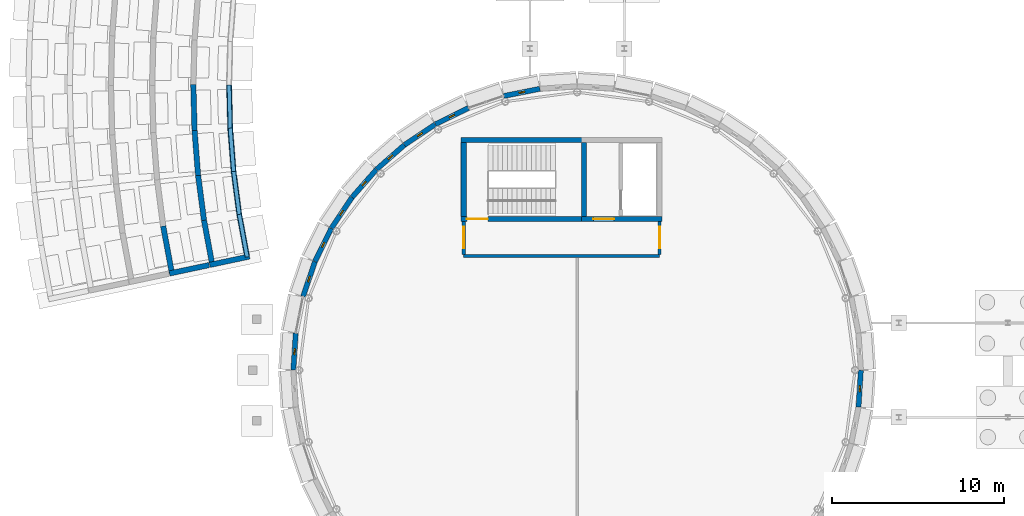
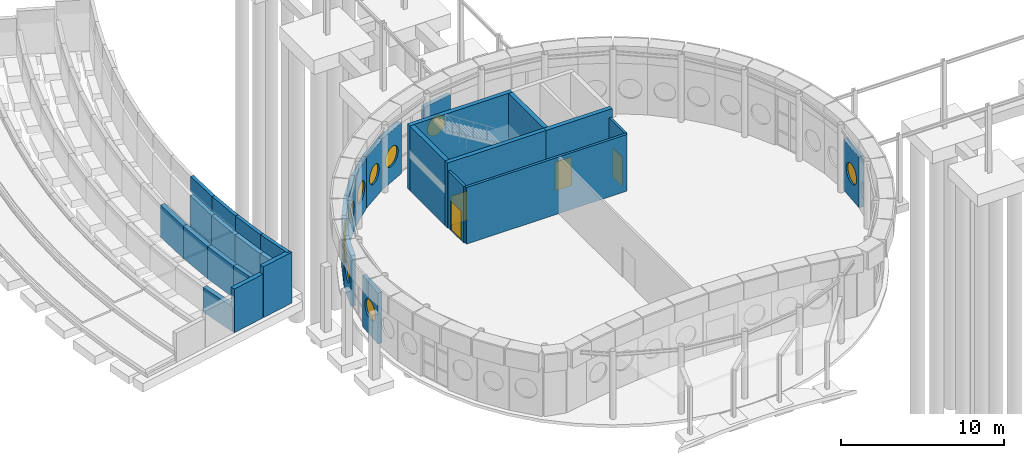
# One storey, part 84 of 109: 33 walls, 10 windows, 4 doors, 14 openings.
"""IFC4 building model written with IfcOpenShell, lengths in metres."""

import ifcopenshell
import ifcopenshell.guid

model = None  # the IFC model being written
_history = None  # IfcOwnerHistory: only IFC2X3 demands one
_inside = {}  # id of a spatial element -> (the spatial element, [elements in it])
_under = {}  # id of a project, library or spatial element -> (it, [spatial elements below it])
_declared = {}  # id of a project -> (the project, [libraries it declares])
_typed = {}  # id of a type object -> (the type object, [elements of that type])
_made_of = {}  # id of a material, layer set ... -> (it, [elements and type objects made of it])


def new_model(schema):
    """Start an empty IFC model of exactly this schema.

    Asked for "IFC4X3", IfcOpenShell would pick the latest addendum, in which some entities
    have other attributes; the version numbers below select the first issue.
    IFC2X3 requires an IfcOwnerHistory on every rooted entity: one is made here for all.
    """
    global model, _history
    if schema == "IFC4X3":
        model = ifcopenshell.file(schema_version=(4, 3, 0, 0))
    else:
        model = ifcopenshell.file(schema=schema)
    _inside.clear()
    _under.clear()
    _declared.clear()
    _typed.clear()
    _made_of.clear()
    _history = None
    if model.schema == "IFC2X3":
        org = make("IfcOrganization", Name="unknown")
        user = make(
            "IfcPersonAndOrganization",
            ThePerson=make("IfcPerson", FamilyName="unknown"),
            TheOrganization=org,
        )
        app = make(
            "IfcApplication",
            ApplicationDeveloper=org,
            Version="unknown",
            ApplicationFullName="unknown",
            ApplicationIdentifier="unknown",
        )
        _history = make(
            "IfcOwnerHistory",
            OwningUser=user,
            OwningApplication=app,
            ChangeAction="ADDED",
            CreationDate=0,
        )
    return model


def make(cls, **values):
    """One entity of the class cls with the attributes given. An attribute that is None is left unset."""
    return model.create_entity(
        cls, **{name: value for name, value in values.items() if value is not None}
    )


def rooted(cls, **values):
    """An entity with a GlobalId (a new one), such as an element, a storey or a relation."""
    return make(cls, GlobalId=ifcopenshell.guid.new(), OwnerHistory=_history, **values)


def si_unit(unit_type, name, prefix=None):
    """IfcSIUnit, for example si_unit("LENGTHUNIT", "METRE", prefix="MILLI")."""
    return make("IfcSIUnit", UnitType=unit_type, Prefix=prefix, Name=name)


def assignment(units):
    """IfcUnitAssignment: the units of a project."""
    return None if units is None else make("IfcUnitAssignment", Units=units)


def point(xyz):
    """IfcCartesianPoint."""
    return None if xyz is None else make("IfcCartesianPoint", Coordinates=xyz)


def direction(xyz):
    """IfcDirection."""
    return None if xyz is None else make("IfcDirection", DirectionRatios=xyz)


def frame(location, z_axis=None, x_axis=None):
    """IfcAxis2Placement3D, a coordinate frame: its origin and axes. An axis left out is left unset."""
    return make(
        "IfcAxis2Placement3D",
        Location=point(location),
        Axis=direction(z_axis),
        RefDirection=direction(x_axis),
    )


def frame_2d(location, x_axis=None):
    """IfcAxis2Placement2D, a coordinate frame in the plane: its origin and x axis."""
    return make(
        "IfcAxis2Placement2D", Location=point(location), RefDirection=direction(x_axis)
    )


def origin():
    """The frame at (0, 0, 0) with its axes left unset."""
    return frame((0.0, 0.0, 0.0))


def place(relative_to, where):
    """IfcLocalPlacement: puts the frame where relative to a parent placement (None: the world)."""
    return make(
        "IfcLocalPlacement", PlacementRelTo=relative_to, RelativePlacement=where
    )


def context(
    kind, dimensions, precision=None, world=None, true_north=None, identifier=None
):
    """IfcGeometricRepresentationContext, for example the 3D "Model" context."""
    return make(
        "IfcGeometricRepresentationContext",
        ContextIdentifier=identifier,
        ContextType=kind,
        CoordinateSpaceDimension=dimensions,
        Precision=precision,
        WorldCoordinateSystem=world,
        TrueNorth=true_north,
    )


def subcontext(parent, identifier, kind, view, scale=None):
    """IfcGeometricRepresentationSubContext, for example "Body" below "Model"."""
    return make(
        "IfcGeometricRepresentationSubContext",
        ContextIdentifier=identifier,
        ContextType=kind,
        ParentContext=parent,
        TargetScale=scale,
        TargetView=view,
    )


def project(units=None, contexts=None):
    """IfcProject with its units and contexts."""
    return rooted(
        "IfcProject",
        Name="project",
        RepresentationContexts=contexts,
        UnitsInContext=assignment(units),
    )


def spatial(cls, under=None, at=None, **own):
    """A site, building, storey or space (cls), placed at a placement, below another one or the project."""
    s = rooted(cls, ObjectPlacement=at, **own)
    if under is not None:
        _under.setdefault(under.id(), (under, []))[1].append(s)
    return s


def profile(cls, at=None, kind="AREA", **sizes):
    """A parametric profile (cls). Its sizes go by their IFC names, for example OverallWidth=200.0."""
    return make(cls, ProfileType=kind, Position=at, **sizes)


def rectangle(**sizes):
    """IfcRectangleProfileDef."""
    return profile("IfcRectangleProfileDef", **sizes)


def circle(**sizes):
    """IfcCircleProfileDef."""
    return profile("IfcCircleProfileDef", **sizes)


def extrude(swept, where, along, depth):
    """IfcExtrudedAreaSolid: the profile swept, set in the frame where, extruded along a direction by depth."""
    return make(
        "IfcExtrudedAreaSolid",
        SweptArea=swept,
        Position=where,
        ExtrudedDirection=direction(along),
        Depth=depth,
    )


def shape(context_of_items, identifier, shape_type, items):
    """IfcShapeRepresentation: the items that make up one representation, for example the "Body"."""
    return make(
        "IfcShapeRepresentation",
        ContextOfItems=context_of_items,
        RepresentationIdentifier=identifier,
        RepresentationType=shape_type,
        Items=items,
    )


def material(Name=None, Category=None):
    """IfcMaterial."""
    return make("IfcMaterial", Name=Name, Category=Category)


def layer(
    of_material, thickness, ventilated=None, Name=None, Category=None, Priority=None
):
    """IfcMaterialLayer: one layer of a wall or slab, of a material (None: an air gap)."""
    return make(
        "IfcMaterialLayer",
        Material=of_material,
        LayerThickness=thickness,
        IsVentilated=ventilated,
        Name=Name,
        Category=Category,
        Priority=Priority,
    )


def layer_set(layers, Name=None):
    """IfcMaterialLayerSet."""
    return make("IfcMaterialLayerSet", MaterialLayers=layers, LayerSetName=Name)


def made_of(thing, what):
    """Note that an element or type object is made of a material, layer set ...; save() writes the relation."""
    if what is not None:
        _made_of.setdefault(what.id(), (what, []))[1].append(thing)
    return thing


def type_object(cls, material=None, **own):
    """A type object (cls), such as IfcWallType, which elements share."""
    return made_of(rooted(cls, **own), material)


def element(
    cls,
    number,
    at=None,
    inside=None,
    cuts=None,
    type_object=None,
    material=None,
    context=None,
    identifier="Body",
    shape_type=None,
    held_by="IfcProductDefinitionShape",
    body=None,
    shapes=None,
    **own,
):
    """One element of the class cls, such as IfcWall. Its Tag is "e" and its number.

    at: its placement. inside: the storey or other place that contains it. cuts: it is an
    opening in that element (IfcRelVoidsElement). A single representation is given by context,
    identifier, shape_type and body (its items); several are given by shapes. held_by: the class
    of the entity that holds the representations. save() writes the other relations.
    """
    e = rooted(cls, Tag="e%d" % number, ObjectPlacement=at, **own)
    if body is not None:
        shapes = [shape(context, identifier, shape_type, body)]
    if shapes is not None:
        e.Representation = make(held_by, Representations=shapes)
    if inside is not None:
        _inside.setdefault(inside.id(), (inside, []))[1].append(e)
    if cuts is not None:
        rooted(
            "IfcRelVoidsElement", RelatingBuildingElement=cuts, RelatedOpeningElement=e
        )
    if type_object is not None:
        _typed.setdefault(type_object.id(), (type_object, []))[1].append(e)
    return made_of(e, material)


def fill(opening, filler):
    """IfcRelFillsElement: the door or window that sits in an opening."""
    return rooted(
        "IfcRelFillsElement",
        RelatingOpeningElement=opening,
        RelatedBuildingElement=filler,
    )


def aggregate(whole, parts):
    """IfcRelAggregates: a whole, such as a stair, and the parts it consists of."""
    return rooted("IfcRelAggregates", RelatingObject=whole, RelatedObjects=parts)


def save(model, path):
    """Write the relations noted so far, then the file.

    IfcRelAggregates (storeys below a building ...), IfcRelContainedInSpatialStructure (elements
    in a storey), IfcRelDefinesByType, IfcRelAssociatesMaterial and IfcRelDeclares: one each for
    every whole, place, type object, material and project.
    """
    for whole, parts in _under.values():
        aggregate(whole, parts)
    for where, things in _inside.values():
        rooted(
            "IfcRelContainedInSpatialStructure",
            RelatedElements=things,
            RelatingStructure=where,
        )
    for kind, things in _typed.values():
        rooted("IfcRelDefinesByType", RelatedObjects=things, RelatingType=kind)
    for what, things in _made_of.values():
        rooted("IfcRelAssociatesMaterial", RelatedObjects=things, RelatingMaterial=what)
    for by, libraries in _declared.values():
        rooted("IfcRelDeclares", RelatingContext=by, RelatedDefinitions=libraries)
    model.write(path)


model = new_model("IFC4")

# Units and contexts
model_context = context("Model", 3, precision=1e-05, world=origin(), true_north=direction((0.0, 1.0)))
body_context = subcontext(model_context, "Body", "Model", "MODEL_VIEW")
ifc_project = project(units=[si_unit("LENGTHUNIT", "METRE"), si_unit("AREAUNIT", "SQUARE_METRE"), si_unit("VOLUMEUNIT", "CUBIC_METRE"), si_unit("PLANEANGLEUNIT", "RADIAN"), si_unit("MASSUNIT", "GRAM", prefix="KILO")], contexts=[model_context])

# Site, building, storey
site_placement = place(None, origin())
site = spatial("IfcSite", under=ifc_project, at=site_placement, CompositionType="ELEMENT")
building_placement = place(site_placement, origin())
building = spatial("IfcBuilding", under=site, at=building_placement, Name="Montecoro Central Library", CompositionType="ELEMENT")
storey_placement = place(building_placement, origin())
storey = spatial("IfcBuildingStorey", under=building, at=storey_placement, Name="L00", CompositionType="ELEMENT", Elevation=0.0)

# Wall, opening, window
ifc_material_1 = material(Name="Travertine Roman Stone and concrete C35/45", Category="masonry")
ifc_layer_1 = layer(ifc_material_1, 0.294921875)
ifc_layer_set_1 = layer_set([ifc_layer_1], Name="Travertine Roman Stone and concrete C35/45")
wall_type_1 = type_object("IfcWallType", Name="EW-DRM-295", PredefinedType="SOLIDWALL", material=ifc_layer_set_1)
wall_1_placement = place(storey_placement, frame((89.43603515625, 51.777099609375, 0.0), z_axis=(0.0, 0.0, 1.0), x_axis=(-0.98081198628, -0.194956014446, 0.0)))
wall_1 = element("IfcWall", 1, at=wall_1_placement, inside=storey, type_object=wall_type_1, Name="V1-L00-EW-14", PredefinedType="SOLIDWALL", context=body_context, shape_type="SweptSolid", body=[
    extrude(rectangle(XDim=2.145263671875, YDim=0.294921875, at=frame_2d((1.07275390625, 0.0))), origin(), (0.0, 0.0, 1.0), 3.820068359375),
])
opening_1_placement = place(wall_1_placement, frame((0.35302734375, 0.0, 1.179931640625)))
opening_1 = element("IfcOpeningElement", 2, at=opening_1_placement, cuts=wall_1, Name="Opening WP-02", PredefinedType="OPENING", context=body_context, shape_type="SweptSolid", body=[
    extrude(circle(Radius=0.719970703125, at=frame_2d((0.719970703125, 0.719970703125))), frame((0.0, 0.157470703125, 0.0), z_axis=(0.0, -1.0, 0.0), x_axis=(1.0, 0.0, 0.0)), (0.0, 0.0, 1.0), 0.31494140625),
])
ifc_material_2 = material(Name="Frosted pearl-white ceramic-fritted glazing", Category="glass")
window_type_1 = type_object("IfcWindowType", Name="WN-POR-FRT-144", PartitioningType="SINGLE_PANEL", PredefinedType="WINDOW", material=ifc_material_2)
window_1_placement = place(opening_1_placement, origin())
window_1 = element("IfcWindow", 3, at=window_1_placement, inside=storey, type_object=window_type_1, Name="V1-L00-WP-14", OverallHeight=1.43994140625, OverallWidth=1.43994140625, PartitioningType="SINGLE_PANEL", PredefinedType="WINDOW", context=body_context, shape_type="SweptSolid", body=[
    extrude(circle(Radius=0.719970703125, at=frame_2d((0.719970703125, 0.719970703125))), frame((0.0, 0.030029296875, 0.0), z_axis=(0.0, -1.0, 0.0), x_axis=(1.0, 0.0, 0.0)), (0.0, 0.0, 1.0), 0.06005859375),
])
fill(opening_1, window_1)

wall_2_placement = place(storey_placement, frame((85.27099609375, 50.657958984375, 0.0), z_axis=(0.0, 0.0, 1.0), x_axis=(-0.897210232885, -0.441603666205, 0.0)))
wall_2 = element("IfcWall", 4, at=wall_2_placement, inside=storey, type_object=wall_type_1, Name="V1-L00-EW-16", PredefinedType="SOLIDWALL", context=body_context, shape_type="SweptSolid", body=[
    extrude(rectangle(XDim=2.14453125, YDim=0.294921875, at=frame_2d((1.072265625, 0.0))), origin(), (0.0, 0.0, 1.0), 3.820068359375),
])
opening_2_placement = place(wall_2_placement, frame((0.35205078125, 0.0, 1.179931640625)))
opening_2 = element("IfcOpeningElement", 5, at=opening_2_placement, cuts=wall_2, Name="Opening WP-02", PredefinedType="OPENING", context=body_context, shape_type="SweptSolid", body=[
    extrude(circle(Radius=0.719970703125, at=frame_2d((0.719970703125, 0.719970703125))), frame((0.0, 0.157470703125, 0.0), z_axis=(0.0, -1.0, 0.0), x_axis=(1.0, 0.0, 0.0)), (0.0, 0.0, 1.0), 0.31494140625),
])
window_2_placement = place(opening_2_placement, origin())
window_2 = element("IfcWindow", 6, at=window_2_placement, inside=storey, type_object=window_type_1, Name="V1-L00-WP-16", OverallHeight=1.43994140625, OverallWidth=1.43994140625, PartitioningType="SINGLE_PANEL", PredefinedType="WINDOW", context=body_context, shape_type="SweptSolid", body=[
    extrude(circle(Radius=0.719970703125, at=frame_2d((0.719970703125, 0.719970703125))), frame((0.0, 0.030029296875, 0.0), z_axis=(0.0, -1.0, 0.0), x_axis=(1.0, 0.0, 0.0)), (0.0, 0.0, 1.0), 0.06005859375),
])
fill(opening_2, window_2)

wall_3_placement = place(storey_placement, frame((83.3330078125, 49.702880859375, 0.0), z_axis=(0.0, 0.0, 1.0), x_axis=(-0.831138710759, -0.556065143197, 0.0)))
wall_3 = element("IfcWall", 7, at=wall_3_placement, inside=storey, type_object=wall_type_1, Name="V1-L00-EW-17", PredefinedType="SOLIDWALL", context=body_context, shape_type="SweptSolid", body=[
    extrude(rectangle(XDim=2.145263671875, YDim=0.294921875, at=frame_2d((1.07275390625, 0.0))), origin(), (0.0, 0.0, 1.0), 3.820068359375),
])
opening_3_placement = place(wall_3_placement, frame((0.39306640625, 0.0, 1.179931640625)))
opening_3 = element("IfcOpeningElement", 8, at=opening_3_placement, cuts=wall_3, Name="Opening WP-07", PredefinedType="OPENING", context=body_context, shape_type="SweptSolid", body=[
    extrude(circle(Radius=0.68017578125, at=frame_2d((0.68017578125, 0.68017578125))), frame((0.0, 0.157470703125, 0.0), z_axis=(0.0, -1.0, 0.0), x_axis=(1.0, 0.0, 0.0)), (0.0, 0.0, 1.0), 0.31494140625),
])
ifc_material_3 = material(Name="Clear sky-blue low-E laminated glazing", Category="glass")
window_type_2 = type_object("IfcWindowType", Name="WN-POR-CLR-136", PartitioningType="SINGLE_PANEL", PredefinedType="WINDOW", material=ifc_material_3)
window_3_placement = place(opening_3_placement, origin())
window_3 = element("IfcWindow", 9, at=window_3_placement, inside=storey, type_object=window_type_2, Name="V1-L00-WP-17", OverallHeight=1.360107421875, OverallWidth=1.360107421875, PartitioningType="SINGLE_PANEL", PredefinedType="WINDOW", context=body_context, shape_type="SweptSolid", body=[
    extrude(circle(Radius=0.68017578125, at=frame_2d((0.68017578125, 0.68017578125))), frame((0.0, 0.030029296875, 0.0), z_axis=(0.0, -1.0, 0.0), x_axis=(1.0, 0.0, 0.0)), (0.0, 0.0, 1.0), 0.06005859375),
])
fill(opening_3, window_3)

wall_4_placement = place(storey_placement, frame((81.537109375, 48.5009765625, 0.0), z_axis=(0.0, 0.0, 1.0), x_axis=(-0.751539314958, -0.659688303725, 0.0)))
wall_4 = element("IfcWall", 10, at=wall_4_placement, inside=storey, type_object=wall_type_1, Name="V1-L00-EW-18", PredefinedType="SOLIDWALL", context=body_context, shape_type="SweptSolid", body=[
    extrude(rectangle(XDim=2.14501953125, YDim=0.294921875, at=frame_2d((1.072509765625, 0.0))), origin(), (0.0, 0.0, 1.0), 3.820068359375),
])
opening_4_placement = place(wall_4_placement, frame((0.35205078125, 0.0, 1.179931640625)))
opening_4 = element("IfcOpeningElement", 11, at=opening_4_placement, cuts=wall_4, Name="Opening WP-02", PredefinedType="OPENING", context=body_context, shape_type="SweptSolid", body=[
    extrude(circle(Radius=0.719970703125, at=frame_2d((0.719970703125, 0.719970703125))), frame((0.0, 0.157470703125, 0.0), z_axis=(0.0, -1.0, 0.0), x_axis=(1.0, 0.0, 0.0)), (0.0, 0.0, 1.0), 0.31494140625),
])
window_4_placement = place(opening_4_placement, origin())
window_4 = element("IfcWindow", 12, at=window_4_placement, inside=storey, type_object=window_type_1, Name="V1-L00-WP-18", OverallHeight=1.43994140625, OverallWidth=1.43994140625, PartitioningType="SINGLE_PANEL", PredefinedType="WINDOW", context=body_context, shape_type="SweptSolid", body=[
    extrude(circle(Radius=0.719970703125, at=frame_2d((0.719970703125, 0.719970703125))), frame((0.0, 0.030029296875, 0.0), z_axis=(0.0, -1.0, 0.0), x_axis=(1.0, 0.0, 0.0)), (0.0, 0.0, 1.0), 0.06005859375),
])
fill(opening_4, window_4)

wall_5_placement = place(storey_placement, frame((79.9140625, 47.074951171875, 0.0), z_axis=(0.0, 0.0, 1.0), x_axis=(-0.659688303725, -0.751539314958, 0.0)))
wall_5 = element("IfcWall", 13, at=wall_5_placement, inside=storey, type_object=wall_type_1, Name="V1-L00-EW-19", PredefinedType="SOLIDWALL", context=body_context, shape_type="SweptSolid", body=[
    extrude(rectangle(XDim=2.14501953125, YDim=0.294921875, at=frame_2d((1.072509765625, 0.0))), origin(), (0.0, 0.0, 1.0), 3.820068359375),
])
opening_5_placement = place(wall_5_placement, frame((0.39208984375, 0.0, 1.179931640625)))
opening_5 = element("IfcOpeningElement", 14, at=opening_5_placement, cuts=wall_5, Name="Opening WP-07", PredefinedType="OPENING", context=body_context, shape_type="SweptSolid", body=[
    extrude(circle(Radius=0.68017578125, at=frame_2d((0.68017578125, 0.68017578125))), frame((0.0, 0.157470703125, 0.0), z_axis=(0.0, -1.0, 0.0), x_axis=(1.0, 0.0, 0.0)), (0.0, 0.0, 1.0), 0.31494140625),
])
window_5_placement = place(opening_5_placement, origin())
window_5 = element("IfcWindow", 15, at=window_5_placement, inside=storey, type_object=window_type_2, Name="V1-L00-WP-19", OverallHeight=1.360107421875, OverallWidth=1.360107421875, PartitioningType="SINGLE_PANEL", PredefinedType="WINDOW", context=body_context, shape_type="SweptSolid", body=[
    extrude(circle(Radius=0.68017578125, at=frame_2d((0.68017578125, 0.68017578125))), frame((0.0, 0.030029296875, 0.0), z_axis=(0.0, -1.0, 0.0), x_axis=(1.0, 0.0, 0.0)), (0.0, 0.0, 1.0), 0.06005859375),
])
fill(opening_5, window_5)

wall_6_placement = place(storey_placement, frame((78.489990234375, 45.449951171875, 0.0), z_axis=(0.0, 0.0, 1.0), x_axis=(-0.556065143197, -0.831138710759, 0.0)))
wall_6 = element("IfcWall", 16, at=wall_6_placement, inside=storey, type_object=wall_type_1, Name="V1-L00-EW-20", PredefinedType="SOLIDWALL", context=body_context, shape_type="SweptSolid", body=[
    extrude(rectangle(XDim=2.145263671875, YDim=0.294921875, at=frame_2d((1.07275390625, 0.0))), origin(), (0.0, 0.0, 1.0), 3.820068359375),
])
opening_6_placement = place(wall_6_placement, frame((0.35302734375, 0.0, 1.179931640625)))
opening_6 = element("IfcOpeningElement", 17, at=opening_6_placement, cuts=wall_6, Name="Opening WP-02", PredefinedType="OPENING", context=body_context, shape_type="SweptSolid", body=[
    extrude(circle(Radius=0.719970703125, at=frame_2d((0.719970703125, 0.719970703125))), frame((0.0, 0.157470703125, 0.0), z_axis=(0.0, -1.0, 0.0), x_axis=(1.0, 0.0, 0.0)), (0.0, 0.0, 1.0), 0.31494140625),
])
window_6_placement = place(opening_6_placement, origin())
window_6 = element("IfcWindow", 18, at=window_6_placement, inside=storey, type_object=window_type_1, Name="V1-L00-WP-20", OverallHeight=1.43994140625, OverallWidth=1.43994140625, PartitioningType="SINGLE_PANEL", PredefinedType="WINDOW", context=body_context, shape_type="SweptSolid", body=[
    extrude(circle(Radius=0.719970703125, at=frame_2d((0.719970703125, 0.719970703125))), frame((0.0, 0.030029296875, 0.0), z_axis=(0.0, -1.0, 0.0), x_axis=(1.0, 0.0, 0.0)), (0.0, 0.0, 1.0), 0.06005859375),
])
fill(opening_6, window_6)

wall_7_placement = place(storey_placement, frame((77.2890625, 43.653076171875, 0.0), z_axis=(0.0, 0.0, 1.0), x_axis=(-0.441603666205, -0.897210232885, 0.0)))
wall_7 = element("IfcWall", 19, at=wall_7_placement, inside=storey, type_object=wall_type_1, Name="V1-L00-EW-21", PredefinedType="SOLIDWALL", context=body_context, shape_type="SweptSolid", body=[
    extrude(rectangle(XDim=2.14453125, YDim=0.294921875, at=frame_2d((1.072265625, 0.0))), origin(), (0.0, 0.0, 1.0), 3.820068359375),
])
opening_7_placement = place(wall_7_placement, frame((0.39208984375, 0.0, 1.179931640625)))
opening_7 = element("IfcOpeningElement", 20, at=opening_7_placement, cuts=wall_7, Name="Opening WP-07", PredefinedType="OPENING", context=body_context, shape_type="SweptSolid", body=[
    extrude(circle(Radius=0.68017578125, at=frame_2d((0.68017578125, 0.68017578125))), frame((0.0, 0.157470703125, 0.0), z_axis=(0.0, -1.0, 0.0), x_axis=(1.0, 0.0, 0.0)), (0.0, 0.0, 1.0), 0.31494140625),
])
window_7_placement = place(opening_7_placement, origin())
window_7 = element("IfcWindow", 21, at=window_7_placement, inside=storey, type_object=window_type_2, Name="V1-L00-WP-21", OverallHeight=1.360107421875, OverallWidth=1.360107421875, PartitioningType="SINGLE_PANEL", PredefinedType="WINDOW", context=body_context, shape_type="SweptSolid", body=[
    extrude(circle(Radius=0.68017578125, at=frame_2d((0.68017578125, 0.68017578125))), frame((0.0, 0.030029296875, 0.0), z_axis=(0.0, -1.0, 0.0), x_axis=(1.0, 0.0, 0.0)), (0.0, 0.0, 1.0), 0.06005859375),
])
fill(opening_7, window_7)

wall_8_placement = place(storey_placement, frame((76.3349609375, 41.714111328125, 0.0), z_axis=(0.0, 0.0, 1.0), x_axis=(-0.321382058047, -0.946949614692, 0.0)))
wall_8 = element("IfcWall", 22, at=wall_8_placement, inside=storey, type_object=wall_type_1, Name="V1-L00-EW-22", PredefinedType="SOLIDWALL", context=body_context, shape_type="SweptSolid", body=[
    extrude(rectangle(XDim=2.143798828125, YDim=0.294921875, at=frame_2d((1.07177734375, 0.0))), origin(), (0.0, 0.0, 1.0), 3.820068359375),
])
opening_8_placement = place(wall_8_placement, frame((0.35205078125, 0.0, 1.179931640625)))
opening_8 = element("IfcOpeningElement", 23, at=opening_8_placement, cuts=wall_8, Name="Opening WP-02", PredefinedType="OPENING", context=body_context, shape_type="SweptSolid", body=[
    extrude(circle(Radius=0.719970703125, at=frame_2d((0.719970703125, 0.719970703125))), frame((0.0, 0.157470703125, 0.0), z_axis=(0.0, -1.0, 0.0), x_axis=(1.0, 0.0, 0.0)), (0.0, 0.0, 1.0), 0.31494140625),
])
window_8_placement = place(opening_8_placement, origin())
window_8 = element("IfcWindow", 24, at=window_8_placement, inside=storey, type_object=window_type_1, Name="V1-L00-WP-22", OverallHeight=1.43994140625, OverallWidth=1.43994140625, PartitioningType="SINGLE_PANEL", PredefinedType="WINDOW", context=body_context, shape_type="SweptSolid", body=[
    extrude(circle(Radius=0.719970703125, at=frame_2d((0.719970703125, 0.719970703125))), frame((0.0, 0.030029296875, 0.0), z_axis=(0.0, -1.0, 0.0), x_axis=(1.0, 0.0, 0.0)), (0.0, 0.0, 1.0), 0.06005859375),
])
fill(opening_8, window_8)

wall_9_placement = place(storey_placement, frame((75.219970703125, 37.548095703125, 0.0), z_axis=(0.0, 0.0, 1.0), x_axis=(-0.064773567518, -0.997899987449, 0.0)))
wall_9 = element("IfcWall", 25, at=wall_9_placement, inside=storey, type_object=wall_type_1, Name="V1-L00-EW-24", PredefinedType="SOLIDWALL", context=body_context, shape_type="SweptSolid", body=[
    extrude(rectangle(XDim=2.14453125, YDim=0.294921875, at=frame_2d((1.072265625, 0.0))), origin(), (0.0, 0.0, 1.0), 3.820068359375),
])
opening_9_placement = place(wall_9_placement, frame((0.35205078125, 0.0, 1.179931640625)))
opening_9 = element("IfcOpeningElement", 26, at=opening_9_placement, cuts=wall_9, Name="Opening WP-02", PredefinedType="OPENING", context=body_context, shape_type="SweptSolid", body=[
    extrude(circle(Radius=0.719970703125, at=frame_2d((0.719970703125, 0.719970703125))), frame((0.0, 0.157470703125, 0.0), z_axis=(0.0, -1.0, 0.0), x_axis=(1.0, 0.0, 0.0)), (0.0, 0.0, 1.0), 0.31494140625),
])
window_9_placement = place(opening_9_placement, origin())
window_9 = element("IfcWindow", 27, at=window_9_placement, inside=storey, type_object=window_type_1, Name="V1-L00-WP-24", OverallHeight=1.43994140625, OverallWidth=1.43994140625, PartitioningType="SINGLE_PANEL", PredefinedType="WINDOW", context=body_context, shape_type="SweptSolid", body=[
    extrude(circle(Radius=0.719970703125, at=frame_2d((0.719970703125, 0.719970703125))), frame((0.0, 0.030029296875, 0.0), z_axis=(0.0, -1.0, 0.0), x_axis=(1.0, 0.0, 0.0)), (0.0, 0.0, 1.0), 0.06005859375),
])
fill(opening_9, window_9)

wall_10_placement = place(storey_placement, frame((107.97998046875, 33.251953125, 0.0), z_axis=(0.0, 0.0, 1.0), x_axis=(0.064773567518, 0.997899987449, 0.0)))
wall_10 = element("IfcWall", 28, at=wall_10_placement, inside=storey, type_object=wall_type_1, Name="V1-L00-EW-48", PredefinedType="SOLIDWALL", context=body_context, shape_type="SweptSolid", body=[
    extrude(rectangle(XDim=2.14453125, YDim=0.294921875, at=frame_2d((1.072265625, 0.0))), origin(), (0.0, 0.0, 1.0), 3.820068359375),
])
opening_10_placement = place(wall_10_placement, frame((0.35205078125, 0.0, 1.179931640625)))
opening_10 = element("IfcOpeningElement", 29, at=opening_10_placement, cuts=wall_10, Name="Opening WP-02", PredefinedType="OPENING", context=body_context, shape_type="SweptSolid", body=[
    extrude(circle(Radius=0.719970703125, at=frame_2d((0.719970703125, 0.719970703125))), frame((0.0, 0.157470703125, 0.0), z_axis=(0.0, -1.0, 0.0), x_axis=(1.0, 0.0, 0.0)), (0.0, 0.0, 1.0), 0.31494140625),
])
window_10_placement = place(opening_10_placement, origin())
window_10 = element("IfcWindow", 30, at=window_10_placement, inside=storey, type_object=window_type_1, Name="V1-L00-WP-48", OverallHeight=1.43994140625, OverallWidth=1.43994140625, PartitioningType="SINGLE_PANEL", PredefinedType="WINDOW", context=body_context, shape_type="SweptSolid", body=[
    extrude(circle(Radius=0.719970703125, at=frame_2d((0.719970703125, 0.719970703125))), frame((0.0, 0.030029296875, 0.0), z_axis=(0.0, -1.0, 0.0), x_axis=(1.0, 0.0, 0.0)), (0.0, 0.0, 1.0), 0.06005859375),
])
fill(opening_10, window_10)

# Walls
ifc_material_4 = material(Name="White Roman travertine stone clad concrete C32/40", Category="masonry")
ifc_layer_2 = layer(ifc_material_4, 0.235107421875)
ifc_layer_set_2 = layer_set([ifc_layer_2], Name="White Roman travertine stone clad concrete C32/40")
wall_type_2 = type_object("IfcWallType", Name="EW-PAR-235", PredefinedType="PARAPET", material=ifc_layer_set_2)
wall_11_placement = place(storey_placement, frame((71.340087890625, 52.0, 2.699951171875), z_axis=(0.0, 0.0, 1.0), x_axis=(0.02614877706, -0.999658062268, 0.0)))
element("IfcWall", 31, at=wall_11_placement, inside=storey, type_object=wall_type_2, Name="V1-STEP-IPAR-09", PredefinedType="PARAPET", context=body_context, shape_type="SweptSolid", body=[
    extrude(rectangle(XDim=2.52099609375, YDim=0.235107421875, at=frame_2d((1.260498046875, 0.0))), origin(), (0.0, 0.0, 1.0), 1.1201171875),
])
wall_12_placement = place(storey_placement, frame((71.406005859375, 49.47998046875, 2.699951171875), z_axis=(0.0, 0.0, 1.0), x_axis=(0.078517647766, -0.996912723858, 0.0)))
element("IfcWall", 32, at=wall_12_placement, inside=storey, type_object=wall_type_2, Name="V1-STEP-IPAR-10", PredefinedType="PARAPET", context=body_context, shape_type="SweptSolid", body=[
    extrude(rectangle(XDim=2.521728515625, YDim=0.235107421875, at=frame_2d((1.2607421875, 0.0))), origin(), (0.0, 0.0, 1.0), 1.1201171875),
])
wall_13_placement = place(storey_placement, frame((71.60400390625, 46.966064453125, 2.699951171875), z_axis=(0.0, 0.0, 1.0), x_axis=(0.130514621721, -0.99144638459, 0.0)))
element("IfcWall", 33, at=wall_13_placement, inside=storey, type_object=wall_type_2, Name="V1-STEP-IPAR-11", PredefinedType="PARAPET", context=body_context, shape_type="SweptSolid", body=[
    extrude(rectangle(XDim=2.521484375, YDim=0.235107421875, at=frame_2d((1.2607421875, 0.0))), origin(), (0.0, 0.0, 1.0), 1.1201171875),
])
wall_14_placement = place(storey_placement, frame((71.93310546875, 44.466064453125, 2.699951171875), z_axis=(0.0, 0.0, 1.0), x_axis=(0.182054583495, -0.983288425961, 0.0)))
element("IfcWall", 34, at=wall_14_placement, inside=storey, type_object=wall_type_2, Name="V1-STEP-IPAR-12", PredefinedType="PARAPET", context=body_context, shape_type="SweptSolid", body=[
    extrude(rectangle(XDim=2.521240234375, YDim=0.235107421875, at=frame_2d((1.2607421875, 0.0))), origin(), (0.0, 0.0, 1.0), 1.1201171875),
])
ifc_material_5 = material(Name="Roman travertine stone clad concrete C35/45", Category="masonry")
ifc_layer_3 = layer(ifc_material_5, 0.31005859375)
ifc_layer_set_3 = layer_set([ifc_layer_3], Name="Roman travertine stone clad concrete C35/45")
wall_type_3 = type_object("IfcWallType", Name="EW-TRV-LB-310", PredefinedType="SOLIDWALL", material=ifc_layer_set_3)
wall_15_placement = place(storey_placement, frame((67.5048828125, 43.784912109375, 0.0), z_axis=(0.0, 0.0, 1.0), x_axis=(0.182073624961, -0.983284900267, 0.0)))
element("IfcWall", 35, at=wall_15_placement, inside=storey, type_object=wall_type_3, Name="Stepped Terrace Retaining Wall 4", PredefinedType="SOLIDWALL", context=body_context, shape_type="SweptSolid", body=[
    extrude(rectangle(XDim=2.795654296875, YDim=0.31005859375, at=frame_2d((1.39794921875, 0.0))), origin(), (0.0, 0.0, 1.0), 1.860107421875),
])
wall_16_placement = place(storey_placement, frame((70.181884765625, 41.51708984375, 0.0), z_axis=(0.0, 0.0, 1.0), x_axis=(-0.978108616481, -0.208095012833, 0.0)))
element("IfcWall", 36, at=wall_16_placement, inside=storey, type_object=wall_type_3, Name="V1-STEP-CHK-04-S", PredefinedType="SOLIDWALL", context=body_context, shape_type="SweptSolid", body=[
    extrude(rectangle(XDim=2.360595703125, YDim=0.31005859375, at=frame_2d((1.18017578125, 0.0))), origin(), (0.0, 0.0, 1.0), 3.280029296875),
])
wall_17_placement = place(storey_placement, frame((69.260009765625, 52.02001953125, 0.0), z_axis=(0.0, 0.0, 1.0), x_axis=(0.026244159029, -0.99965556274, 0.0)))
element("IfcWall", 37, at=wall_17_placement, inside=storey, type_object=wall_type_3, Name="Stepped Terrace Retaining Wall 5", PredefinedType="SOLIDWALL", context=body_context, shape_type="SweptSolid", body=[
    extrude(rectangle(XDim=2.669921875, YDim=0.31005859375, at=frame_2d((1.3349609375, 0.0))), origin(), (0.0, 0.0, 1.0), 2.419921875),
])
wall_18_placement = place(storey_placement, frame((69.327880859375, 49.39111328125, 0.0), z_axis=(0.0, 0.0, 1.0), x_axis=(0.07835338227, -0.996925647923, 0.0)))
element("IfcWall", 38, at=wall_18_placement, inside=storey, type_object=wall_type_3, Name="Stepped Terrace Retaining Wall 5", PredefinedType="SOLIDWALL", context=body_context, shape_type="SweptSolid", body=[
    extrude(rectangle(XDim=2.67041015625, YDim=0.31005859375, at=frame_2d((1.335205078125, 0.0))), origin(), (0.0, 0.0, 1.0), 2.419921875),
])
for number, where, z_axis, x_axis, name in (
    (39, (69.532958984375, 46.76806640625, 0.0), (0.0, 0.0, 1.0), (0.130762010251, -0.991413786809, 0.0), "Stepped Terrace Retaining Wall 5"),
    (40, (69.875, 44.159912109375, 0.0), (0.0, 0.0, 1.0), (0.18243307797, -0.983218272848, 0.0), "Stepped Terrace Retaining Wall 5"),
):
    element("IfcWall", number, at=place(storey_placement, frame(where, z_axis=z_axis, x_axis=x_axis)), inside=storey, type_object=wall_type_3, Name=name, PredefinedType="SOLIDWALL", context=body_context, shape_type="SweptSolid", body=[
        extrude(rectangle(XDim=2.669921875, YDim=0.31005859375, at=frame_2d((1.3349609375, 0.0))), origin(), (0.0, 0.0, 1.0), 2.419921875),
    ])
wall_19_placement = place(storey_placement, frame((71.340087890625, 52.0, 0.0), z_axis=(0.0, 0.0, 1.0), x_axis=(0.02614877706, -0.999658062268, 0.0)))
element("IfcWall", 41, at=wall_19_placement, inside=storey, type_object=wall_type_3, Name="Stepped Terrace Inner Retaining Wall", PredefinedType="SOLIDWALL", context=body_context, shape_type="SweptSolid", body=[
    extrude(rectangle(XDim=2.52099609375, YDim=0.31005859375, at=frame_2d((1.260498046875, 0.0))), origin(), (0.0, 0.0, 1.0), 2.419921875),
])
wall_20_placement = place(storey_placement, frame((71.406005859375, 49.47998046875, 0.0), z_axis=(0.0, 0.0, 1.0), x_axis=(0.078517647766, -0.996912723858, 0.0)))
element("IfcWall", 42, at=wall_20_placement, inside=storey, type_object=wall_type_3, Name="Stepped Terrace Inner Retaining Wall", PredefinedType="SOLIDWALL", context=body_context, shape_type="SweptSolid", body=[
    extrude(rectangle(XDim=2.521728515625, YDim=0.31005859375, at=frame_2d((1.2607421875, 0.0))), origin(), (0.0, 0.0, 1.0), 2.419921875),
])
wall_21_placement = place(storey_placement, frame((71.60400390625, 46.966064453125, 0.0), z_axis=(0.0, 0.0, 1.0), x_axis=(0.130514621721, -0.99144638459, 0.0)))
element("IfcWall", 43, at=wall_21_placement, inside=storey, type_object=wall_type_3, Name="Stepped Terrace Inner Retaining Wall", PredefinedType="SOLIDWALL", context=body_context, shape_type="SweptSolid", body=[
    extrude(rectangle(XDim=2.521484375, YDim=0.31005859375, at=frame_2d((1.2607421875, 0.0))), origin(), (0.0, 0.0, 1.0), 2.419921875),
])
wall_22_placement = place(storey_placement, frame((71.93310546875, 44.466064453125, 0.0), z_axis=(0.0, 0.0, 1.0), x_axis=(0.182054583495, -0.983288425961, 0.0)))
element("IfcWall", 44, at=wall_22_placement, inside=storey, type_object=wall_type_3, Name="Stepped Terrace Inner Retaining Wall", PredefinedType="SOLIDWALL", context=body_context, shape_type="SweptSolid", body=[
    extrude(rectangle(XDim=2.521240234375, YDim=0.31005859375, at=frame_2d((1.2607421875, 0.0))), origin(), (0.0, 0.0, 1.0), 2.419921875),
])
wall_23_placement = place(storey_placement, frame((72.529052734375, 42.01611328125, 0.0), z_axis=(0.0, 0.0, 1.0), x_axis=(-0.978095174105, -0.208158185985, 0.0)))
element("IfcWall", 45, at=wall_23_placement, inside=storey, type_object=wall_type_3, Name="V1-STEP-CHK-05-S", PredefinedType="SOLIDWALL", context=body_context, shape_type="SweptSolid", body=[
    extrude(rectangle(XDim=2.35986328125, YDim=0.31005859375, at=frame_2d((1.179931640625, 0.0))), origin(), (0.0, 0.0, 1.0), 3.820068359375),
])
ifc_material_6 = material(Name="Gypsum fire-rated partition")
ifc_layer_4 = layer(ifc_material_6, 0.179931640625)
ifc_layer_set_4 = layer_set([ifc_layer_4], Name="Gypsum fire-rated partition")
wall_type_4 = type_object("IfcWallType", Name="IW-COR-180", PredefinedType="PARTITIONING", material=ifc_layer_set_4)
wall_24_placement = place(storey_placement, frame((85.0, 42.050048828125, 0.0), z_axis=(0.0, 0.0, 1.0), x_axis=(1.0, 0.0, 0.0)))
element("IfcWall", 46, at=wall_24_placement, inside=storey, type_object=wall_type_4, Name="V1-L00-FOY-WS", PredefinedType="PARTITIONING", context=body_context, shape_type="SweptSolid", body=[
    extrude(rectangle(XDim=11.39990234375, YDim=0.179931640625, at=frame_2d((5.699951171875, 0.0))), origin(), (0.0, 0.0, 1.0), 4.25),
])

# Wall, opening, door
wall_25_placement = place(storey_placement, frame((85.0, 42.139892578125, 0.0), z_axis=(0.0, 0.0, 1.0), x_axis=(0.0, 1.0, 0.0)))
wall_25 = element("IfcWall", 47, at=wall_25_placement, inside=storey, type_object=wall_type_4, Name="V1-L00-FOY-WW", PredefinedType="PARTITIONING", context=body_context, shape_type="SweptSolid", body=[
    extrude(rectangle(XDim=1.91015625, YDim=0.179931640625, at=frame_2d((0.955078125, 0.0))), origin(), (0.0, 0.0, 1.0), 4.25),
])
opening_11_placement = place(wall_25_placement, frame((0.35009765625, 0.0, 0.0)))
opening_11 = element("IfcOpeningElement", 48, at=opening_11_placement, cuts=wall_25, Name="Opening ID-09", PredefinedType="OPENING", context=body_context, shape_type="SweptSolid", body=[
    extrude(rectangle(XDim=1.260009765625, YDim=2.199951171875, at=frame_2d((0.6298828125, 1.10009765625))), frame((0.0, 0.099853515625, 0.0), z_axis=(0.0, -1.0, 0.0), x_axis=(1.0, 0.0, 0.0)), (0.0, 0.0, 1.0), 0.199951171875),
])
ifc_material_7 = material(Name="Solid oak and fire-rated steel door", Category="steel")
door_type_1 = type_object("IfcDoorType", Name="ID-RDG-126", OperationType="NOTDEFINED", PredefinedType="DOOR", material=ifc_material_7)
door_1_placement = place(opening_11_placement, origin())
door_1 = element("IfcDoor", 49, at=door_1_placement, inside=storey, type_object=door_type_1, Name="DR-SP-V1-L00-R1", OperationType="SINGLE_SWING_LEFT", OverallHeight=2.199951171875, OverallWidth=1.260009765625, PredefinedType="DOOR", context=body_context, shape_type="SweptSolid", body=[
    extrude(rectangle(XDim=1.260009765625, YDim=2.199951171875, at=frame_2d((0.6298828125, 1.10009765625))), frame((0.0, 0.02490234375, 0.0), z_axis=(0.0, -1.0, 0.0), x_axis=(1.0, 0.0, 0.0)), (0.0, 0.0, 1.0), 0.050048828125),
])
fill(opening_11, door_1)

wall_26_placement = place(storey_placement, frame((96.39990234375, 42.139892578125, 0.0), z_axis=(0.0, 0.0, 1.0), x_axis=(0.0, 1.0, 0.0)))
wall_26 = element("IfcWall", 50, at=wall_26_placement, inside=storey, type_object=wall_type_4, Name="V1-L00-FOY-WE", PredefinedType="PARTITIONING", context=body_context, shape_type="SweptSolid", body=[
    extrude(rectangle(XDim=1.91015625, YDim=0.179931640625, at=frame_2d((0.955078125, 0.0))), origin(), (0.0, 0.0, 1.0), 4.25),
])
opening_12_placement = place(wall_26_placement, frame((0.35009765625, 0.0, 0.0)))
opening_12 = element("IfcOpeningElement", 51, at=opening_12_placement, cuts=wall_26, Name="Opening ID-09", PredefinedType="OPENING", context=body_context, shape_type="SweptSolid", body=[
    extrude(rectangle(XDim=1.260009765625, YDim=2.199951171875, at=frame_2d((0.6298828125, 1.10009765625))), frame((0.0, 0.099853515625, 0.0), z_axis=(0.0, -1.0, 0.0), x_axis=(1.0, 0.0, 0.0)), (0.0, 0.0, 1.0), 0.199951171875),
])
door_2_placement = place(opening_12_placement, origin())
door_2 = element("IfcDoor", 52, at=door_2_placement, inside=storey, type_object=door_type_1, Name="DR-SP-V1-L00-R2", OperationType="SINGLE_SWING_RIGHT", OverallHeight=2.199951171875, OverallWidth=1.260009765625, PredefinedType="DOOR", context=body_context, shape_type="SweptSolid", body=[
    extrude(rectangle(XDim=1.260009765625, YDim=2.199951171875, at=frame_2d((0.6298828125, 1.10009765625))), frame((0.0, 0.02490234375, 0.0), z_axis=(0.0, -1.0, 0.0), x_axis=(1.0, 0.0, 0.0)), (0.0, 0.0, 1.0), 0.050048828125),
])
fill(opening_12, door_2)

ifc_material_8 = material(Name="Concrete C35/45", Category="concrete")
ifc_layer_5 = layer(ifc_material_8, 0.300048828125)
ifc_layer_set_5 = layer_set([ifc_layer_5], Name="Concrete C35/45")
wall_type_5 = type_object("IfcWallType", Name="IW-SHR-300", PredefinedType="SHEAR", material=ifc_layer_set_5)
wall_27_placement = place(storey_placement, frame((91.85009765625, 44.199951171875, 0.0), z_axis=(0.0, 0.0, 1.0), x_axis=(1.0, 0.0, 0.0)))
wall_27 = element("IfcWall", 53, at=wall_27_placement, inside=storey, type_object=wall_type_5, Name="C1-L00-LWS", PredefinedType="SHEAR", context=body_context, shape_type="SweptSolid", body=[
    extrude(rectangle(XDim=4.699951171875, YDim=0.300048828125, at=frame_2d((2.35009765625, 0.0))), origin(), (0.0, 0.0, 1.0), 4.864990234375),
])
opening_13_placement = place(wall_27_placement, frame((0.699951171875, 0.0, 0.0)))
opening_13 = element("IfcOpeningElement", 54, at=opening_13_placement, cuts=wall_27, Name="Opening ID-03", PredefinedType="OPENING", context=body_context, shape_type="SweptSolid", body=[
    extrude(rectangle(XDim=1.199951171875, YDim=2.159912109375, at=frame_2d((0.60009765625, 1.080078125))), frame((0.0, 0.159912109375, 0.0), z_axis=(0.0, -1.0, 0.0), x_axis=(1.0, 0.0, 0.0)), (0.0, 0.0, 1.0), 0.320068359375),
])
door_type_2 = type_object("IfcDoorType", Name="ID-FFL-120", OperationType="NOTDEFINED", PredefinedType="DOOR", material=ifc_material_7)
door_3_placement = place(opening_13_placement, origin())
door_3 = element("IfcDoor", 55, at=door_3_placement, inside=storey, type_object=door_type_2, Name="C1-L00-DLOB", OperationType="SINGLE_SWING_LEFT", OverallHeight=2.159912109375, OverallWidth=1.199951171875, PredefinedType="DOOR", context=body_context, shape_type="SweptSolid", body=[
    extrude(rectangle(XDim=1.199951171875, YDim=2.159912109375, at=frame_2d((0.60009765625, 1.080078125))), frame((0.0, 0.02490234375, 0.0), z_axis=(0.0, -1.0, 0.0), x_axis=(1.0, 0.0, 0.0)), (0.0, 0.0, 1.0), 0.050048828125),
])
fill(opening_13, door_3)

wall_28_placement = place(storey_placement, frame((84.85009765625, 44.199951171875, 0.0), z_axis=(0.0, 0.0, 1.0), x_axis=(1.0, 0.0, 0.0)))
wall_28 = element("IfcWall", 56, at=wall_28_placement, inside=storey, type_object=wall_type_5, Name="C1-L00-WS", PredefinedType="SHEAR", context=body_context, shape_type="SweptSolid", body=[
    extrude(rectangle(XDim=7.2998046875, YDim=0.300048828125, at=frame_2d((3.64990234375, 0.0))), origin(), (0.0, 0.0, 1.0), 4.864990234375),
])
opening_14_placement = place(wall_28_placement, frame((0.330078125, 0.0, 0.0)))
opening_14 = element("IfcOpeningElement", 57, at=opening_14_placement, cuts=wall_28, Name="Opening ID-01", PredefinedType="OPENING", context=body_context, shape_type="SweptSolid", body=[
    extrude(rectangle(XDim=1.219970703125, YDim=2.179931640625, at=frame_2d((0.60986328125, 1.08984375))), frame((0.0, 0.159912109375, 0.0), z_axis=(0.0, -1.0, 0.0), x_axis=(1.0, 0.0, 0.0)), (0.0, 0.0, 1.0), 0.320068359375),
])
door_type_3 = type_object("IfcDoorType", Name="ID-STR-140", OperationType="NOTDEFINED", PredefinedType="DOOR", material=ifc_material_7)
door_4_placement = place(opening_14_placement, origin())
door_4 = element("IfcDoor", 58, at=door_4_placement, inside=storey, type_object=door_type_3, Name="C1-L00-DSTR", OperationType="SINGLE_SWING_RIGHT", OverallHeight=2.179931640625, OverallWidth=1.219970703125, PredefinedType="DOOR", context=body_context, shape_type="SweptSolid", body=[
    extrude(rectangle(XDim=1.219970703125, YDim=2.179931640625, at=frame_2d((0.60986328125, 1.08984375))), frame((0.0, 0.02490234375, 0.0), z_axis=(0.0, -1.0, 0.0), x_axis=(1.0, 0.0, 0.0)), (0.0, 0.0, 1.0), 0.050048828125),
])
fill(opening_14, door_4)

# Walls
wall_29_placement = place(storey_placement, frame((84.85009765625, 48.800048828125, 0.0), z_axis=(0.0, 0.0, 1.0), x_axis=(1.0, 0.0, 0.0)))
element("IfcWall", 59, at=wall_29_placement, inside=storey, type_object=wall_type_5, Name="C1-L00-WN", PredefinedType="SHEAR", context=body_context, shape_type="SweptSolid", body=[
    extrude(rectangle(XDim=7.2998046875, YDim=0.300048828125, at=frame_2d((3.64990234375, 0.0))), origin(), (0.0, 0.0, 1.0), 4.864990234375),
])
for number, where, z_axis, x_axis, name in (
    (60, (85.0, 44.35009765625, 0.0), (0.0, 0.0, 1.0), (0.0, 1.0, 0.0), "C1-L00-WW"),
    (61, (92.0, 44.35009765625, 0.0), (0.0, 0.0, 1.0), (0.0, 1.0, 0.0), "C1-L00-WE"),
):
    element("IfcWall", number, at=place(storey_placement, frame(where, z_axis=z_axis, x_axis=x_axis)), inside=storey, type_object=wall_type_5, Name=name, PredefinedType="SHEAR", context=body_context, shape_type="SweptSolid", body=[
        extrude(rectangle(XDim=4.2998046875, YDim=0.300048828125, at=frame_2d((2.14990234375, 0.0))), origin(), (0.0, 0.0, 1.0), 4.864990234375),
    ])

save(model, "model.ifc")
